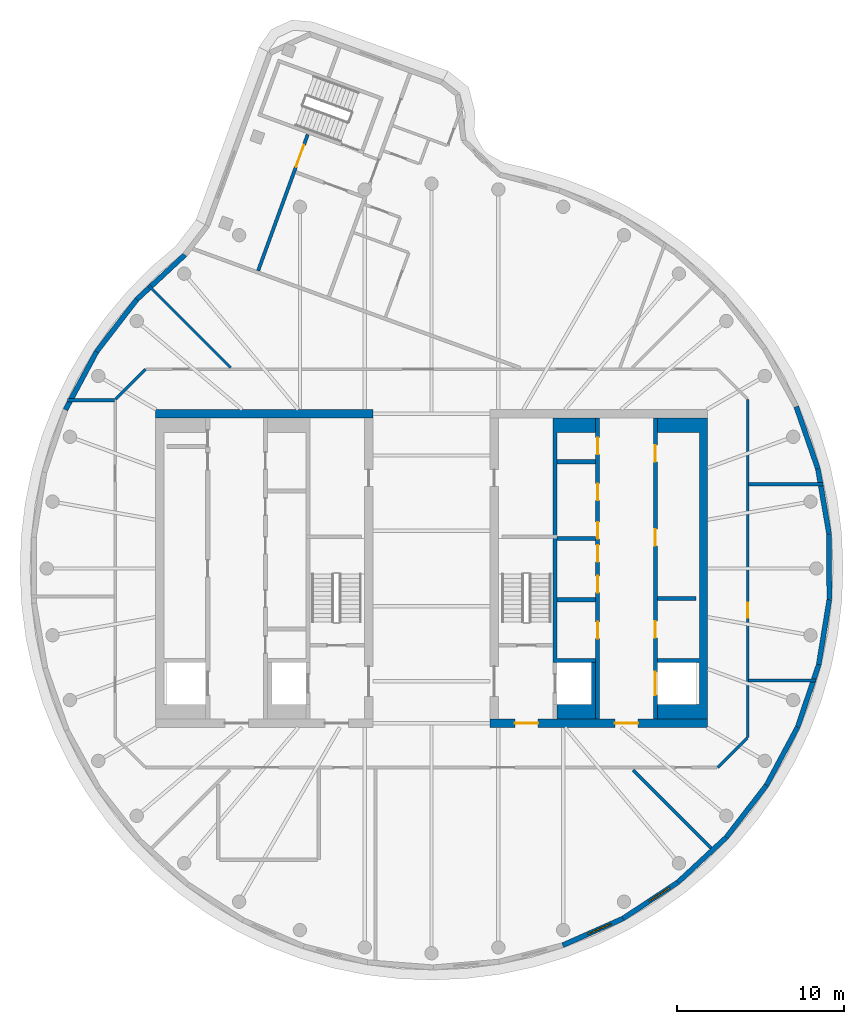
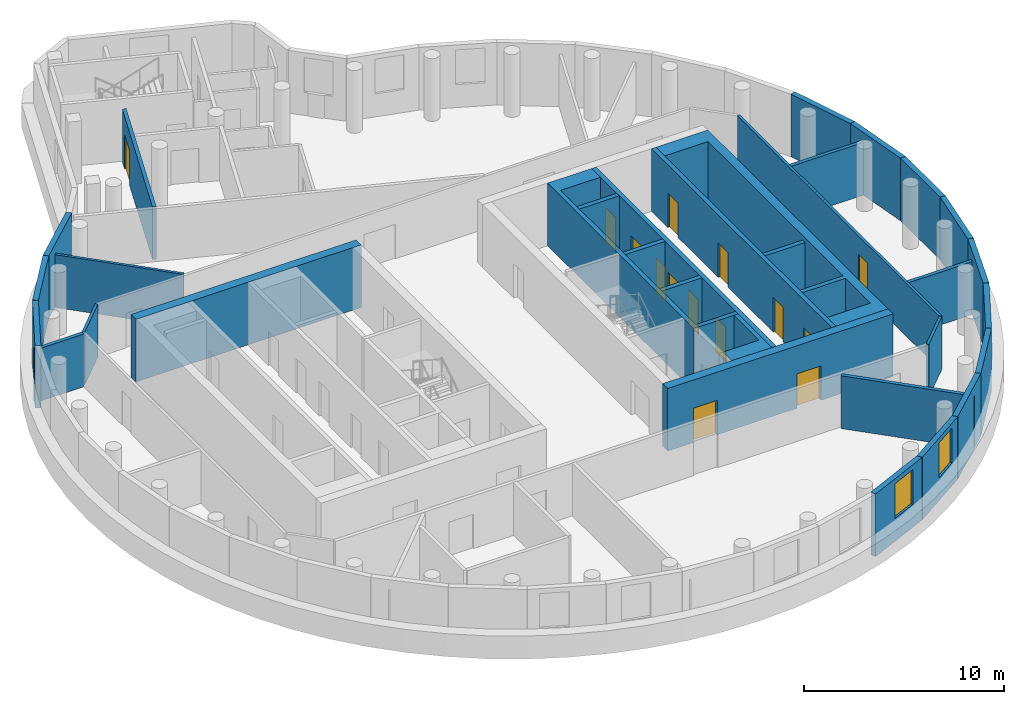
# One storey, part 4 of 7: 33 walls, 14 doors, 2 windows, 16 openings.
"""IFC4 building model written with IfcOpenShell, lengths in metres."""

from ifc_helpers import new_model, si_unit, direction, frame, frame_2d, origin, place, context, subcontext, project, spatial, polyline, rectangle, outline, extrude, material, layer, layer_set, type_object, element, fill, save


model = new_model("IFC4")

# Units and contexts
model_context = context("Model", 3, precision=1e-05, world=origin(), true_north=direction((0.0, 1.0)))
body_context = subcontext(model_context, "Body", "Model", "MODEL_VIEW")
ifc_project = project(units=[si_unit("LENGTHUNIT", "METRE"), si_unit("AREAUNIT", "SQUARE_METRE"), si_unit("VOLUMEUNIT", "CUBIC_METRE"), si_unit("PLANEANGLEUNIT", "RADIAN"), si_unit("MASSUNIT", "GRAM", prefix="KILO")], contexts=[model_context])

# Site, building, storey
site_placement = place(None, origin())
site = spatial("IfcSite", under=ifc_project, at=site_placement, CompositionType="ELEMENT")
building_placement = place(site_placement, origin())
building = spatial("IfcBuilding", under=site, at=building_placement, Name="Tamarind Cross Interchange Tower", CompositionType="ELEMENT")
storey_placement = place(building_placement, frame((0.0, 0.0, 313.39990234375)))
storey = spatial("IfcBuildingStorey", under=building, at=storey_placement, Name="L77", CompositionType="ELEMENT", Elevation=313.39990234375)

# Wall
ifc_material_1 = material(Name="Concrete C50", Category="concrete")
ifc_layer_1 = layer(ifc_material_1, 0.5)
ifc_layer_set_1 = layer_set([ifc_layer_1], Name="Concrete C50")
wall_type_1 = type_object("IfcWallType", Name="Core wall 500 mm Concrete C50", PredefinedType="SHEAR", material=ifc_layer_set_1)
wall_1_placement = place(storey_placement, frame((-16.5, 9.25, 0.0), z_axis=(0.0, 0.0, 1.0), x_axis=(1.0, 0.0, 0.0)))
element("IfcWall", 1, at=wall_1_placement, inside=storey, type_object=wall_type_1, Name="Core wall CWL-L77-W-NE", PredefinedType="SHEAR", context=body_context, shape_type="SweptSolid", body=[
    extrude(rectangle(XDim=13.0, YDim=0.5, at=frame_2d((6.5, 0.0))), origin(), (0.0, 0.0, 1.0), 3.820068359375),
])

# Wall, openings, doors
wall_2_placement = place(storey_placement, frame((16.5, -9.25, 0.0), z_axis=(0.0, 0.0, 1.0), x_axis=(-1.0, 0.0, 0.0)))
wall_2 = element("IfcWall", 2, at=wall_2_placement, inside=storey, type_object=wall_type_1, Name="Core wall CWL-L77-E-S", PredefinedType="SHEAR", context=body_context, shape_type="SweptSolid", body=[
    extrude(rectangle(XDim=13.0, YDim=0.5, at=frame_2d((6.5, 0.0))), origin(), (0.0, 0.0, 1.0), 3.820068359375),
])
opening_1_placement = place(wall_2_placement, frame((4.14990234375, 0.0, 0.0)))
opening_1 = element("IfcOpeningElement", 3, at=opening_1_placement, cuts=wall_2, Name="Opening DCE1", PredefinedType="OPENING", context=body_context, shape_type="SweptSolid", body=[
    extrude(rectangle(XDim=1.39990234375, YDim=2.10009765625, at=frame_2d((0.699951171875, 1.050048828125))), frame((0.0, 0.260009765625, 0.0), z_axis=(0.0, -1.0, 0.0), x_axis=(1.0, 0.0, 0.0)), (0.0, 0.0, 1.0), 0.52001953125),
])
opening_2_placement = place(wall_2_placement, frame((10.125, 0.0, 0.0)))
opening_2 = element("IfcOpeningElement", 4, at=opening_2_placement, cuts=wall_2, Name="Opening DCEF", PredefinedType="OPENING", context=body_context, shape_type="SweptSolid", body=[
    extrude(rectangle(XDim=1.39990234375, YDim=2.10009765625, at=frame_2d((0.699951171875, 1.050048828125))), frame((0.0, 0.260009765625, 0.0), z_axis=(0.0, -1.0, 0.0), x_axis=(1.0, 0.0, 0.0)), (0.0, 0.0, 1.0), 0.52001953125),
])
ifc_material_2 = material(Name="Steel, fire-resisting", Category="steel")
door_type_1 = type_object("IfcDoorType", Name="Core fire door 1400 x 2100 FD90", OperationType="SINGLE_SWING_LEFT", PredefinedType="DOOR", material=ifc_material_2)
door_1_placement = place(opening_1_placement, origin())
door_1 = element("IfcDoor", 5, at=door_1_placement, inside=storey, type_object=door_type_1, Name="L77 lift lobby door", OperationType="SINGLE_SWING_LEFT", OverallHeight=2.10009765625, OverallWidth=1.39990234375, PredefinedType="DOOR", context=body_context, shape_type="SweptSolid", body=[
    extrude(rectangle(XDim=1.39990234375, YDim=2.10009765625, at=frame_2d((0.699951171875, 1.050048828125))), frame((0.0, 0.02490234375, 0.0), z_axis=(0.0, -1.0, 0.0), x_axis=(1.0, 0.0, 0.0)), (0.0, 0.0, 1.0), 0.050048828125),
])
fill(opening_1, door_1)
door_2_placement = place(opening_2_placement, origin())
door_2 = element("IfcDoor", 6, at=door_2_placement, inside=storey, type_object=door_type_1, Name="L77 firefighting lobby end door", OperationType="SINGLE_SWING_LEFT", OverallHeight=2.10009765625, OverallWidth=1.39990234375, PredefinedType="DOOR", context=body_context, shape_type="SweptSolid", body=[
    extrude(rectangle(XDim=1.39990234375, YDim=2.10009765625, at=frame_2d((0.699951171875, 1.050048828125))), frame((0.0, 0.02490234375, 0.0), z_axis=(0.0, -1.0, 0.0), x_axis=(1.0, 0.0, 0.0)), (0.0, 0.0, 1.0), 0.050048828125),
])
fill(opening_2, door_2)

# Walls
wall_3_placement = place(storey_placement, origin())
element("IfcWall", 7, at=wall_3_placement, inside=storey, type_object=wall_type_1, Name="Core wall CWL-L77-E-A", PredefinedType="SHEAR", context=body_context, shape_type="SweptSolid", body=[
    extrude(outline(polyline([(13.5, -8.125), (13.5, -9.0), (16.0, -9.0), (16.5, -9.0), (16.5, 9.0), (16.0, 9.0), (13.5, 9.0), (13.5, 8.125), (16.0, 8.125), (16.0, -5.375), (13.5, -5.375), (13.5, -5.625), (16.0, -5.625), (16.0, -8.125), (13.5, -8.125)])), origin(), (0.0, 0.0, 1.0), 3.820068359375),
])
ifc_layer_2 = layer(ifc_material_1, 0.25)
ifc_layer_set_2 = layer_set([ifc_layer_2], Name="Concrete C50")
wall_type_2 = type_object("IfcWallType", Name="Core web wall 250 mm Concrete C50", PredefinedType="SHEAR", material=ifc_layer_set_2)
wall_4_placement = place(storey_placement, origin())
element("IfcWall", 8, at=wall_4_placement, inside=storey, type_object=wall_type_2, Name="Core wall CWL-L77-E-BN", PredefinedType="SHEAR", context=body_context, shape_type="SweptSolid", body=[
    extrude(outline(polyline([(9.800048828125, -5.625), (9.800048828125, -5.375), (7.5, -5.375), (7.5, 8.125), (9.800048828125, 8.125), (9.800048828125, 9.0), (7.5, 9.0), (7.25, 9.0), (7.25, -5.625), (7.5, -5.625), (9.800048828125, -5.625)])), origin(), (0.0, 0.0, 1.0), 3.820068359375),
])
wall_5_placement = place(storey_placement, origin())
element("IfcWall", 9, at=wall_5_placement, inside=storey, type_object=wall_type_2, Name="Core wall CWL-L77-E-BS", PredefinedType="SHEAR", context=body_context, shape_type="SweptSolid", body=[
    extrude(outline(polyline([(7.5, -8.125), (7.5, -9.0), (9.800048828125, -9.0), (9.800048828125, -8.125), (9.800048828125, -5.625), (9.550048828125, -5.625), (9.550048828125, -8.125), (7.5, -8.125)])), origin(), (0.0, 0.0, 1.0), 3.820068359375),
])

# Wall, openings, doors
wall_6_placement = place(storey_placement, frame((13.375, -9.0, 0.0), z_axis=(0.0, 0.0, 1.0), x_axis=(0.0, 1.0, 0.0)))
wall_6 = element("IfcWall", 10, at=wall_6_placement, inside=storey, type_object=wall_type_2, Name="Core wall CWL-L77-E-LA", PredefinedType="SHEAR", context=body_context, shape_type="SweptSolid", body=[
    extrude(rectangle(XDim=18.0, YDim=0.25, at=frame_2d((9.0, 0.0))), origin(), (0.0, 0.0, 1.0), 3.820068359375),
])
opening_3_placement = place(wall_6_placement, frame((1.425048828125, 0.0, 0.0)))
opening_3 = element("IfcOpeningElement", 11, at=opening_3_placement, cuts=wall_6, Name="Opening LD13L77", PredefinedType="OPENING", context=body_context, shape_type="SweptSolid", body=[
    extrude(rectangle(XDim=1.39990234375, YDim=2.10009765625, at=frame_2d((0.699951171875, 1.050048828125))), frame((0.0, 0.135009765625, 0.0), z_axis=(0.0, -1.0, 0.0), x_axis=(1.0, 0.0, 0.0)), (0.0, 0.0, 1.0), 0.27001953125),
])
opening_4_placement = place(wall_6_placement, frame((4.85400390625, 0.0, 0.0)))
opening_4 = element("IfcOpeningElement", 12, at=opening_4_placement, cuts=wall_6, Name="Opening DCE9", PredefinedType="OPENING", context=body_context, shape_type="SweptSolid", body=[
    extrude(rectangle(XDim=1.0, YDim=2.10009765625, at=frame_2d((0.5, 1.050048828125))), frame((0.0, 0.135009765625, 0.0), z_axis=(0.0, -1.0, 0.0), x_axis=(1.0, 0.0, 0.0)), (0.0, 0.0, 1.0), 0.27001953125),
])
opening_5_placement = place(wall_6_placement, frame((10.35400390625, 0.0, 0.0)))
opening_5 = element("IfcOpeningElement", 13, at=opening_5_placement, cuts=wall_6, Name="Opening DCE10", PredefinedType="OPENING", context=body_context, shape_type="SweptSolid", body=[
    extrude(rectangle(XDim=1.0, YDim=2.10009765625, at=frame_2d((0.5, 1.050048828125))), frame((0.0, 0.135009765625, 0.0), z_axis=(0.0, -1.0, 0.0), x_axis=(1.0, 0.0, 0.0)), (0.0, 0.0, 1.0), 0.27001953125),
])
opening_6_placement = place(wall_6_placement, frame((15.375, 0.0, 0.0)))
opening_6 = element("IfcOpeningElement", 14, at=opening_6_placement, cuts=wall_6, Name="Opening DCE17", PredefinedType="OPENING", context=body_context, shape_type="SweptSolid", body=[
    extrude(rectangle(XDim=1.0, YDim=2.10009765625, at=frame_2d((0.5, 1.050048828125))), frame((0.0, 0.135009765625, 0.0), z_axis=(0.0, -1.0, 0.0), x_axis=(1.0, 0.0, 0.0)), (0.0, 0.0, 1.0), 0.27001953125),
])
door_type_2 = type_object("IfcDoorType", Name="Core fire door 1000 x 2100 FD90", OperationType="SINGLE_SWING_LEFT", PredefinedType="DOOR", material=ifc_material_2)
door_3_placement = place(opening_4_placement, origin())
door_3 = element("IfcDoor", 15, at=door_3_placement, inside=storey, type_object=door_type_2, Name="L77 Plant room door", OperationType="SINGLE_SWING_LEFT", OverallHeight=2.10009765625, OverallWidth=1.0, PredefinedType="DOOR", context=body_context, shape_type="SweptSolid", body=[
    extrude(rectangle(XDim=1.0, YDim=2.10009765625, at=frame_2d((0.5, 1.050048828125))), frame((0.0, 0.02490234375, 0.0), z_axis=(0.0, -1.0, 0.0), x_axis=(1.0, 0.0, 0.0)), (0.0, 0.0, 1.0), 0.050048828125),
])
fill(opening_4, door_3)
door_4_placement = place(opening_5_placement, origin())
door_4 = element("IfcDoor", 16, at=door_4_placement, inside=storey, type_object=door_type_2, Name="L77 Storage room door", OperationType="SINGLE_SWING_LEFT", OverallHeight=2.10009765625, OverallWidth=1.0, PredefinedType="DOOR", context=body_context, shape_type="SweptSolid", body=[
    extrude(rectangle(XDim=1.0, YDim=2.10009765625, at=frame_2d((0.5, 1.050048828125))), frame((0.0, 0.02490234375, 0.0), z_axis=(0.0, -1.0, 0.0), x_axis=(1.0, 0.0, 0.0)), (0.0, 0.0, 1.0), 0.050048828125),
])
fill(opening_5, door_4)
door_5_placement = place(opening_6_placement, origin())
door_5 = element("IfcDoor", 17, at=door_5_placement, inside=storey, type_object=door_type_2, Name="L77 Pump room door", OperationType="SINGLE_SWING_LEFT", OverallHeight=2.10009765625, OverallWidth=1.0, PredefinedType="DOOR", context=body_context, shape_type="SweptSolid", body=[
    extrude(rectangle(XDim=1.0, YDim=2.10009765625, at=frame_2d((0.5, 1.050048828125))), frame((0.0, 0.02490234375, 0.0), z_axis=(0.0, -1.0, 0.0), x_axis=(1.0, 0.0, 0.0)), (0.0, 0.0, 1.0), 0.050048828125),
])
fill(opening_6, door_5)
ifc_material_3 = material(Name="Stainless steel panel", Category="steel")
door_type_3 = type_object("IfcDoorType", Name="Lift landing door 1400 x 2100 E 120", OperationType="SLIDING_TO_LEFT", PredefinedType="DOOR", material=ifc_material_3)
door_6_placement = place(opening_3_placement, origin())
door_6 = element("IfcDoor", 18, at=door_6_placement, inside=storey, type_object=door_type_3, Name="L77 landing door LF13", OperationType="SLIDING_TO_LEFT", OverallHeight=2.10009765625, OverallWidth=1.39990234375, PredefinedType="DOOR", context=body_context, shape_type="SweptSolid", body=[
    extrude(rectangle(XDim=1.39990234375, YDim=2.10009765625, at=frame_2d((0.699951171875, 1.050048828125))), frame((0.0, 0.02490234375, 0.0), z_axis=(0.0, -1.0, 0.0), x_axis=(1.0, 0.0, 0.0)), (0.0, 0.0, 1.0), 0.050048828125),
])
fill(opening_3, door_6)

wall_7_placement = place(storey_placement, frame((9.925048828125, -9.0, 0.0), z_axis=(0.0, 0.0, 1.0), x_axis=(0.0, 1.0, 0.0)))
wall_7 = element("IfcWall", 19, at=wall_7_placement, inside=storey, type_object=wall_type_2, Name="Core wall CWL-L77-E-LB", PredefinedType="SHEAR", context=body_context, shape_type="SweptSolid", body=[
    extrude(rectangle(XDim=18.0, YDim=0.25, at=frame_2d((9.0, 0.0))), origin(), (0.0, 0.0, 1.0), 3.820068359375),
])
opening_7_placement = place(wall_7_placement, frame((4.8125, 0.0, 0.0)))
opening_7 = element("IfcOpeningElement", 20, at=opening_7_placement, cuts=wall_7, Name="Opening DCE21", PredefinedType="OPENING", context=body_context, shape_type="SweptSolid", body=[
    extrude(rectangle(XDim=1.0, YDim=2.10009765625, at=frame_2d((0.5, 1.050048828125))), frame((0.0, 0.135009765625, 0.0), z_axis=(0.0, -1.0, 0.0), x_axis=(1.0, 0.0, 0.0)), (0.0, 0.0, 1.0), 0.27001953125),
])
opening_8_placement = place(wall_7_placement, frame((7.5625, 0.0, 0.0)))
opening_8 = element("IfcOpeningElement", 21, at=opening_8_placement, cuts=wall_7, Name="Opening DCE22", PredefinedType="OPENING", context=body_context, shape_type="SweptSolid", body=[
    extrude(rectangle(XDim=1.0, YDim=2.10009765625, at=frame_2d((0.5, 1.050048828125))), frame((0.0, 0.135009765625, 0.0), z_axis=(0.0, -1.0, 0.0), x_axis=(1.0, 0.0, 0.0)), (0.0, 0.0, 1.0), 0.27001953125),
])
opening_9_placement = place(wall_7_placement, frame((9.39599609375, 0.0, 0.0)))
opening_9 = element("IfcOpeningElement", 22, at=opening_9_placement, cuts=wall_7, Name="Opening DCE21", PredefinedType="OPENING", context=body_context, shape_type="SweptSolid", body=[
    extrude(rectangle(XDim=1.0, YDim=2.10009765625, at=frame_2d((0.5, 1.050048828125))), frame((0.0, 0.135009765625, 0.0), z_axis=(0.0, -1.0, 0.0), x_axis=(1.0, 0.0, 0.0)), (0.0, 0.0, 1.0), 0.27001953125),
])
opening_10_placement = place(wall_7_placement, frame((10.77099609375, 0.0, 0.0)))
opening_10 = element("IfcOpeningElement", 23, at=opening_10_placement, cuts=wall_7, Name="Opening DCE22", PredefinedType="OPENING", context=body_context, shape_type="SweptSolid", body=[
    extrude(rectangle(XDim=1.0, YDim=2.10009765625, at=frame_2d((0.5, 1.050048828125))), frame((0.0, 0.135009765625, 0.0), z_axis=(0.0, -1.0, 0.0), x_axis=(1.0, 0.0, 0.0)), (0.0, 0.0, 1.0), 0.27001953125),
])
opening_11_placement = place(wall_7_placement, frame((13.0625, 0.0, 0.0)))
opening_11 = element("IfcOpeningElement", 24, at=opening_11_placement, cuts=wall_7, Name="Opening DCE21", PredefinedType="OPENING", context=body_context, shape_type="SweptSolid", body=[
    extrude(rectangle(XDim=1.0, YDim=2.10009765625, at=frame_2d((0.5, 1.050048828125))), frame((0.0, 0.135009765625, 0.0), z_axis=(0.0, -1.0, 0.0), x_axis=(1.0, 0.0, 0.0)), (0.0, 0.0, 1.0), 0.27001953125),
])
opening_12_placement = place(wall_7_placement, frame((15.8125, 0.0, 0.0)))
opening_12 = element("IfcOpeningElement", 25, at=opening_12_placement, cuts=wall_7, Name="Opening DCE22", PredefinedType="OPENING", context=body_context, shape_type="SweptSolid", body=[
    extrude(rectangle(XDim=1.0, YDim=2.10009765625, at=frame_2d((0.5, 1.050048828125))), frame((0.0, 0.135009765625, 0.0), z_axis=(0.0, -1.0, 0.0), x_axis=(1.0, 0.0, 0.0)), (0.0, 0.0, 1.0), 0.27001953125),
])
door_7_placement = place(opening_7_placement, origin())
door_7 = element("IfcDoor", 26, at=door_7_placement, inside=storey, type_object=door_type_2, Name="L77 Pump room door", OperationType="SINGLE_SWING_LEFT", OverallHeight=2.10009765625, OverallWidth=1.0, PredefinedType="DOOR", context=body_context, shape_type="SweptSolid", body=[
    extrude(rectangle(XDim=1.0, YDim=2.10009765625, at=frame_2d((0.5, 1.050048828125))), frame((0.0, 0.02490234375, 0.0), z_axis=(0.0, -1.0, 0.0), x_axis=(1.0, 0.0, 0.0)), (0.0, 0.0, 1.0), 0.050048828125),
])
fill(opening_7, door_7)
door_8_placement = place(opening_8_placement, origin())
door_8 = element("IfcDoor", 27, at=door_8_placement, inside=storey, type_object=door_type_2, Name="L77 Plant room door", OperationType="SINGLE_SWING_LEFT", OverallHeight=2.10009765625, OverallWidth=1.0, PredefinedType="DOOR", context=body_context, shape_type="SweptSolid", body=[
    extrude(rectangle(XDim=1.0, YDim=2.10009765625, at=frame_2d((0.5, 1.050048828125))), frame((0.0, 0.02490234375, 0.0), z_axis=(0.0, -1.0, 0.0), x_axis=(1.0, 0.0, 0.0)), (0.0, 0.0, 1.0), 0.050048828125),
])
fill(opening_8, door_8)
door_9_placement = place(opening_9_placement, origin())
door_9 = element("IfcDoor", 28, at=door_9_placement, inside=storey, type_object=door_type_2, Name="L77 Plant room door", OperationType="SINGLE_SWING_LEFT", OverallHeight=2.10009765625, OverallWidth=1.0, PredefinedType="DOOR", context=body_context, shape_type="SweptSolid", body=[
    extrude(rectangle(XDim=1.0, YDim=2.10009765625, at=frame_2d((0.5, 1.050048828125))), frame((0.0, 0.02490234375, 0.0), z_axis=(0.0, -1.0, 0.0), x_axis=(1.0, 0.0, 0.0)), (0.0, 0.0, 1.0), 0.050048828125),
])
fill(opening_9, door_9)
door_10_placement = place(opening_10_placement, origin())
door_10 = element("IfcDoor", 29, at=door_10_placement, inside=storey, type_object=door_type_2, Name="L77 Storage room door", OperationType="SINGLE_SWING_LEFT", OverallHeight=2.10009765625, OverallWidth=1.0, PredefinedType="DOOR", context=body_context, shape_type="SweptSolid", body=[
    extrude(rectangle(XDim=1.0, YDim=2.10009765625, at=frame_2d((0.5, 1.050048828125))), frame((0.0, 0.02490234375, 0.0), z_axis=(0.0, -1.0, 0.0), x_axis=(1.0, 0.0, 0.0)), (0.0, 0.0, 1.0), 0.050048828125),
])
fill(opening_10, door_10)
door_11_placement = place(opening_11_placement, origin())
door_11 = element("IfcDoor", 30, at=door_11_placement, inside=storey, type_object=door_type_2, Name="L77 Storage room door", OperationType="SINGLE_SWING_LEFT", OverallHeight=2.10009765625, OverallWidth=1.0, PredefinedType="DOOR", context=body_context, shape_type="SweptSolid", body=[
    extrude(rectangle(XDim=1.0, YDim=2.10009765625, at=frame_2d((0.5, 1.050048828125))), frame((0.0, 0.02490234375, 0.0), z_axis=(0.0, -1.0, 0.0), x_axis=(1.0, 0.0, 0.0)), (0.0, 0.0, 1.0), 0.050048828125),
])
fill(opening_11, door_11)
door_12_placement = place(opening_12_placement, origin())
door_12 = element("IfcDoor", 31, at=door_12_placement, inside=storey, type_object=door_type_2, Name="L77 Battery room door", OperationType="SINGLE_SWING_LEFT", OverallHeight=2.10009765625, OverallWidth=1.0, PredefinedType="DOOR", context=body_context, shape_type="SweptSolid", body=[
    extrude(rectangle(XDim=1.0, YDim=2.10009765625, at=frame_2d((0.5, 1.050048828125))), frame((0.0, 0.02490234375, 0.0), z_axis=(0.0, -1.0, 0.0), x_axis=(1.0, 0.0, 0.0)), (0.0, 0.0, 1.0), 0.050048828125),
])
fill(opening_12, door_12)

# Walls
ifc_material_4 = material(Name="Gypsum board partition on steel studs", Category="steel")
ifc_layer_3 = layer(ifc_material_4, 0.14990234375)
ifc_layer_set_3 = layer_set([ifc_layer_3], Name="Gypsum board partition on steel studs")
wall_type_3 = type_object("IfcWallType", Name="Partition 150 mm EI 120", PredefinedType="PARTITIONING", material=ifc_layer_set_3)
wall_8_placement = place(storey_placement, frame((-16.921142578125, 16.921142578125, 0.0), z_axis=(0.0, 0.0, 1.0), x_axis=(0.707106781187, -0.707106781187, 0.0)))
element("IfcWall", 32, at=wall_8_placement, inside=storey, type_object=wall_type_3, Name="Partition L77-002", PredefinedType="PARTITIONING", context=body_context, shape_type="SweptSolid", body=[
    extrude(rectangle(XDim=6.946044921875, YDim=0.14990234375, at=frame_2d((3.47314453125, 0.0))), origin(), (0.0, 0.0, 1.0), 3.22021484375),
])
wall_9_placement = place(storey_placement, frame((-18.885986328125, 10.114013671875, 0.0), z_axis=(0.0, 0.0, 1.0), x_axis=(0.707106781187, 0.707106781187, 0.0)))
element("IfcWall", 33, at=wall_9_placement, inside=storey, type_object=wall_type_3, Name="Partition L77-019", PredefinedType="PARTITIONING", context=body_context, shape_type="SweptSolid", body=[
    extrude(rectangle(XDim=2.525634765625, YDim=0.14990234375, at=frame_2d((1.2626953125, 0.0))), origin(), (0.0, 0.0, 1.0), 3.22021484375),
])
wall_10_placement = place(storey_placement, frame((17.10009765625, -11.89990234375, 0.0), z_axis=(0.0, 0.0, 1.0), x_axis=(0.707106781187, 0.707106781187, 0.0)))
element("IfcWall", 34, at=wall_10_placement, inside=storey, type_object=wall_type_3, Name="Partition L77-022", PredefinedType="PARTITIONING", context=body_context, shape_type="SweptSolid", body=[
    extrude(rectangle(XDim=2.50537109375, YDim=0.14990234375, at=frame_2d((1.252685546875, 0.0))), origin(), (0.0, 0.0, 1.0), 3.22021484375),
])

# Wall, opening, door
wall_11_placement = place(storey_placement, frame((18.89990234375, -10.10009765625, 0.0), z_axis=(0.0, 0.0, 1.0), x_axis=(0.0, 1.0, 0.0)))
wall_11 = element("IfcWall", 35, at=wall_11_placement, inside=storey, type_object=wall_type_3, Name="Partition L77-036", PredefinedType="PARTITIONING", context=body_context, shape_type="SweptSolid", body=[
    extrude(rectangle(XDim=20.2001953125, YDim=0.14990234375, at=frame_2d((10.10009765625, 0.0))), origin(), (0.0, 0.0, 1.0), 3.22021484375),
])
opening_13_placement = place(wall_11_placement, frame((7.154052734375, 0.0, 0.0)))
opening_13 = element("IfcOpeningElement", 36, at=opening_13_placement, cuts=wall_11, Name="Opening D19", PredefinedType="OPENING", context=body_context, shape_type="SweptSolid", body=[
    extrude(rectangle(XDim=0.89990234375, YDim=2.10009765625, at=frame_2d((0.449951171875, 1.050048828125))), frame((0.0, 0.0849609375, 0.0), z_axis=(0.0, -1.0, 0.0), x_axis=(1.0, 0.0, 0.0)), (0.0, 0.0, 1.0), 0.169921875),
])
ifc_material_5 = material(Name="Fire-resisting door set")
door_type_4 = type_object("IfcDoorType", Name="Interior door 900 x 2100 FD60S", OperationType="SINGLE_SWING_LEFT", PredefinedType="DOOR", material=ifc_material_5)
door_13_placement = place(opening_13_placement, frame((0.89990234375, 0.0, 0.0), z_axis=(0.0, 0.0, 1.0), x_axis=(-1.0, 0.0, 0.0)))
door_13 = element("IfcDoor", 37, at=door_13_placement, inside=storey, type_object=door_type_4, Name="Door D19", OperationType="SINGLE_SWING_LEFT", OverallHeight=2.10009765625, OverallWidth=0.89990234375, PredefinedType="DOOR", context=body_context, shape_type="SweptSolid", body=[
    extrude(rectangle(XDim=0.89990234375, YDim=2.10009765625, at=frame_2d((0.449951171875, 1.050048828125))), frame((0.0, 0.02490234375, 0.0), z_axis=(0.0, -1.0, 0.0), x_axis=(1.0, 0.0, 0.0)), (0.0, 0.0, 1.0), 0.050048828125),
])
fill(opening_13, door_13)

# Walls
ifc_layer_4 = layer(ifc_material_4, 0.199951171875)
ifc_layer_set_4 = layer_set([ifc_layer_4], Name="Gypsum board partition on steel studs")
wall_type_4 = type_object("IfcWallType", Name="Partition 200 mm EI 180", PredefinedType="PARTITIONING", material=ifc_layer_set_4)
wall_12_placement = place(storey_placement, frame((12.052001953125, -12.052001953125, 0.0), z_axis=(0.0, 0.0, 1.0), x_axis=(0.707106781187, -0.707106781187, 0.0)))
element("IfcWall", 38, at=wall_12_placement, inside=storey, type_object=wall_type_4, Name="Partition L77-003", PredefinedType="PARTITIONING", context=body_context, shape_type="SweptSolid", body=[
    extrude(rectangle(XDim=6.8857421875, YDim=0.199951171875, at=frame_2d((3.44287109375, 0.0))), origin(), (0.0, 0.0, 1.0), 3.22021484375),
])
wall_13_placement = place(storey_placement, frame((-21.747314453125, 10.044921875, 0.0), z_axis=(0.0, 0.0, 1.0), x_axis=(1.0, 0.0, 0.0)))
element("IfcWall", 39, at=wall_13_placement, inside=storey, type_object=wall_type_4, Name="Partition L77-013", PredefinedType="PARTITIONING", context=body_context, shape_type="SweptSolid", body=[
    extrude(rectangle(XDim=2.792236328125, YDim=0.199951171875, at=frame_2d((1.39599609375, 0.0))), origin(), (0.0, 0.0, 1.0), 3.22021484375),
])
wall_14_placement = place(storey_placement, frame((18.955078125, -6.696044921875, 0.0), z_axis=(0.0, 0.0, 1.0), x_axis=(1.0, 0.0, 0.0)))
element("IfcWall", 40, at=wall_14_placement, inside=storey, type_object=wall_type_4, Name="Partition L77-017", PredefinedType="PARTITIONING", context=body_context, shape_type="SweptSolid", body=[
    extrude(rectangle(XDim=4.024658203125, YDim=0.199951171875, at=frame_2d((2.01220703125, 0.0))), origin(), (0.0, 0.0, 1.0), 3.22021484375),
])
wall_15_placement = place(storey_placement, frame((18.955078125, 5.02197265625, 0.0), z_axis=(0.0, 0.0, 1.0), x_axis=(1.0, 0.0, 0.0)))
element("IfcWall", 41, at=wall_15_placement, inside=storey, type_object=wall_type_4, Name="Partition L77-018", PredefinedType="PARTITIONING", context=body_context, shape_type="SweptSolid", body=[
    extrude(rectangle(XDim=4.4462890625, YDim=0.199951171875, at=frame_2d((2.22314453125, 0.0))), origin(), (0.0, 0.0, 1.0), 3.22021484375),
])

# Wall, opening, door
wall_16_placement = place(storey_placement, frame((-10.36474609375, 17.791015625, 0.0), z_axis=(0.0, 0.0, 1.0), x_axis=(0.342032792834, 0.939688016645, 0.0)))
wall_16 = element("IfcWall", 42, at=wall_16_placement, inside=storey, type_object=wall_type_4, Name="Partition L77-023", PredefinedType="PARTITIONING", context=body_context, shape_type="SweptSolid", body=[
    extrude(rectangle(XDim=8.65966796875, YDim=0.199951171875, at=frame_2d((4.329833984375, 0.0))), origin(), (0.0, 0.0, 1.0), 3.22021484375),
])
opening_14_placement = place(wall_16_placement, frame((6.60009765625, 0.0, 0.0)))
opening_14 = element("IfcOpeningElement", 43, at=opening_14_placement, cuts=wall_16, Name="Opening D12", PredefinedType="OPENING", context=body_context, shape_type="SweptSolid", body=[
    extrude(rectangle(XDim=1.39990234375, YDim=2.10009765625, at=frame_2d((0.699951171875, 1.050048828125))), frame((0.0, 0.10986328125, 0.0), z_axis=(0.0, -1.0, 0.0), x_axis=(1.0, 0.0, 0.0)), (0.0, 0.0, 1.0), 0.219970703125),
])
door_type_5 = type_object("IfcDoorType", Name="Interior door 1400 x 2100 FD120S", OperationType="DOUBLE_DOOR_SINGLE_SWING", PredefinedType="DOOR", material=ifc_material_5)
door_14_placement = place(opening_14_placement, origin())
door_14 = element("IfcDoor", 44, at=door_14_placement, inside=storey, type_object=door_type_5, Name="Door D12", OperationType="DOUBLE_DOOR_SINGLE_SWING", OverallHeight=2.10009765625, OverallWidth=1.39990234375, PredefinedType="DOOR", context=body_context, shape_type="SweptSolid", body=[
    extrude(rectangle(XDim=1.39990234375, YDim=2.10009765625, at=frame_2d((0.699951171875, 1.050048828125))), frame((0.0, 0.02490234375, 0.0), z_axis=(0.0, -1.0, 0.0), x_axis=(1.0, 0.0, 0.0)), (0.0, 0.0, 1.0), 0.050048828125),
])
fill(opening_14, door_14)

# Walls
ifc_material_6 = material(Name="Precast concrete C40", Category="concrete")
ifc_layer_5 = layer(ifc_material_6, 0.300048828125)
ifc_layer_set_5 = layer_set([ifc_layer_5], Name="Precast concrete C40")
wall_type_5 = type_object("IfcWallType", Name="Plant louvre wall", PredefinedType="SOLIDWALL", material=ifc_layer_set_5)
wall_17_placement = place(storey_placement, frame((-14.738525390625, 18.7451171875, 0.0), z_axis=(0.0, 0.0, 1.0), x_axis=(-0.73266715928, -0.680587124263, 0.0)))
element("IfcWall", 45, at=wall_17_placement, inside=storey, type_object=wall_type_5, Name="EXW-L77-02-01", PredefinedType="SOLIDWALL", context=body_context, shape_type="SweptSolid", body=[
    extrude(rectangle(XDim=3.923583984375, YDim=0.300048828125, at=frame_2d((1.9619140625, 0.0))), origin(), (0.0, 0.0, 1.0), 3.820068359375),
])
for number, where, z_axis, x_axis, name in (
    (46, (-17.61328125, 16.07470703125, 0.0), (0.0, 0.0, 1.0), (-0.610785688376, -0.79179596038, 0.0), "EXW-L77-02-02"),
    (47, (-20.018798828125, 12.956298828125, 0.0), (0.0, 0.0, 1.0), (-0.472180126088, -0.881502086513, 0.0), "EXW-L77-02-03"),
):
    element("IfcWall", number, at=place(storey_placement, frame(where, z_axis=z_axis, x_axis=x_axis)), inside=storey, type_object=wall_type_5, Name=name, PredefinedType="SOLIDWALL", context=body_context, shape_type="SweptSolid", body=[
        extrude(rectangle(XDim=3.9384765625, YDim=0.300048828125, at=frame_2d((1.96923828125, 0.0))), origin(), (0.0, 0.0, 1.0), 3.820068359375),
    ])

# Wall, opening, window
wall_18_placement = place(storey_placement, frame((7.839599609375, -22.520263671875, 0.0), z_axis=(0.0, 0.0, 1.0), x_axis=(0.91404912862, 0.405603489221, 0.0)))
wall_18 = element("IfcWall", 48, at=wall_18_placement, inside=storey, type_object=wall_type_5, Name="EXW-L77-02-18", PredefinedType="SOLIDWALL", context=body_context, shape_type="SweptSolid", body=[
    extrude(rectangle(XDim=3.9384765625, YDim=0.300048828125, at=frame_2d((1.96923828125, 0.0))), origin(), (0.0, 0.0, 1.0), 3.820068359375),
])
opening_15_placement = place(wall_18_placement, frame((1.642578125, 0.0, 1.39990234375)))
opening_15 = element("IfcOpeningElement", 49, at=opening_15_placement, cuts=wall_18, Name="Opening W2", PredefinedType="OPENING", context=body_context, shape_type="SweptSolid", body=[
    extrude(rectangle(XDim=1.508544921875, YDim=2.1201171875, at=frame_2d((0.75439453125, 1.06005859375))), frame((0.0, 0.159912109375, 0.0), z_axis=(0.0, -1.0, 0.0), x_axis=(1.0, 0.0, 0.0)), (0.0, 0.0, 1.0), 0.320068359375),
])
ifc_material_7 = material(Name="Aluminium louvre", Category="aluminium")
window_type = type_object("IfcWindowType", Name="Plant louvre bank", PartitioningType="SINGLE_PANEL", PredefinedType="WINDOW", material=ifc_material_7)
window_1_placement = place(opening_15_placement, origin())
window_1 = element("IfcWindow", 50, at=window_1_placement, inside=storey, type_object=window_type, Name="WIN-L77-02-18", OverallHeight=2.1201171875, OverallWidth=1.508544921875, PartitioningType="SINGLE_PANEL", PredefinedType="WINDOW", context=body_context, shape_type="SweptSolid", body=[
    extrude(rectangle(XDim=1.508544921875, YDim=2.1201171875, at=frame_2d((0.75439453125, 1.06005859375))), frame((0.0, 0.030029296875, 0.0), z_axis=(0.0, -1.0, 0.0), x_axis=(1.0, 0.0, 0.0)), (0.0, 0.0, 1.0), 0.06005859375),
])
fill(opening_15, window_1)

wall_19_placement = place(storey_placement, frame((11.439453125, -20.9228515625, 0.0), z_axis=(0.0, 0.0, 1.0), x_axis=(0.834786621205, 0.550573607302, 0.0)))
wall_19 = element("IfcWall", 51, at=wall_19_placement, inside=storey, type_object=wall_type_5, Name="EXW-L77-02-19", PredefinedType="SOLIDWALL", context=body_context, shape_type="SweptSolid", body=[
    extrude(rectangle(XDim=3.9384765625, YDim=0.300048828125, at=frame_2d((1.96923828125, 0.0))), origin(), (0.0, 0.0, 1.0), 3.820068359375),
])
opening_16_placement = place(wall_19_placement, frame((1.853271484375, 0.0, 1.39990234375)))
opening_16 = element("IfcOpeningElement", 52, at=opening_16_placement, cuts=wall_19, Name="Opening W2", PredefinedType="OPENING", context=body_context, shape_type="SweptSolid", body=[
    extrude(rectangle(XDim=1.485107421875, YDim=2.1201171875, at=frame_2d((0.74267578125, 1.06005859375))), frame((0.0, 0.159912109375, 0.0), z_axis=(0.0, -1.0, 0.0), x_axis=(1.0, 0.0, 0.0)), (0.0, 0.0, 1.0), 0.320068359375),
])
window_2_placement = place(opening_16_placement, origin())
window_2 = element("IfcWindow", 53, at=window_2_placement, inside=storey, type_object=window_type, Name="WIN-L77-02-19", OverallHeight=2.1201171875, OverallWidth=1.485107421875, PartitioningType="SINGLE_PANEL", PredefinedType="WINDOW", context=body_context, shape_type="SweptSolid", body=[
    extrude(rectangle(XDim=1.485107421875, YDim=2.1201171875, at=frame_2d((0.74267578125, 1.06005859375))), frame((0.0, 0.030029296875, 0.0), z_axis=(0.0, -1.0, 0.0), x_axis=(1.0, 0.0, 0.0)), (0.0, 0.0, 1.0), 0.06005859375),
])
fill(opening_16, window_2)

# Walls
wall_20_placement = place(storey_placement, frame((14.727294921875, -18.75439453125, 0.0), z_axis=(0.0, 0.0, 1.0), x_axis=(0.732813362883, 0.680429698926, 0.0)))
element("IfcWall", 54, at=wall_20_placement, inside=storey, type_object=wall_type_5, Name="EXW-L77-02-20", PredefinedType="SOLIDWALL", context=body_context, shape_type="SweptSolid", body=[
    extrude(rectangle(XDim=3.938232421875, YDim=0.300048828125, at=frame_2d((1.96923828125, 0.0))), origin(), (0.0, 0.0, 1.0), 3.820068359375),
])
for number, where, z_axis, x_axis, name in (
    (55, (17.61328125, -16.07470703125, 0.0), (0.0, 0.0, 1.0), (0.610785688376, 0.79179596038, 0.0), "EXW-L77-02-21"),
    (56, (20.018798828125, -12.956298828125, 0.0), (0.0, 0.0, 1.0), (0.472180126088, 0.881502086513, 0.0), "EXW-L77-02-22"),
    (57, (21.87841796875, -9.484619140625, 0.0), (0.0, 0.0, 1.0), (0.320613287718, 0.947210177172, 0.0), "EXW-L77-02-23"),
):
    element("IfcWall", number, at=place(storey_placement, frame(where, z_axis=z_axis, x_axis=x_axis)), inside=storey, type_object=wall_type_5, Name=name, PredefinedType="SOLIDWALL", context=body_context, shape_type="SweptSolid", body=[
        extrude(rectangle(XDim=3.9384765625, YDim=0.300048828125, at=frame_2d((1.96923828125, 0.0))), origin(), (0.0, 0.0, 1.0), 3.820068359375),
    ])
wall_21_placement = place(storey_placement, frame((23.14111328125, -5.754150390625, 0.0), z_axis=(0.0, 0.0, 1.0), x_axis=(0.160376439891, 0.987055924215, 0.0)))
element("IfcWall", 58, at=wall_21_placement, inside=storey, type_object=wall_type_5, Name="EXW-L77-02-24", PredefinedType="SOLIDWALL", context=body_context, shape_type="SweptSolid", body=[
    extrude(rectangle(XDim=3.938232421875, YDim=0.300048828125, at=frame_2d((1.96923828125, 0.0))), origin(), (0.0, 0.0, 1.0), 3.820068359375),
])
wall_22_placement = place(storey_placement, frame((23.772705078125, -1.866943359375, 0.0), z_axis=(0.0, 0.0, 1.0), x_axis=(-0.004339160737, 0.999990585798, 0.0)))
element("IfcWall", 59, at=wall_22_placement, inside=storey, type_object=wall_type_5, Name="EXW-L77-02-25", PredefinedType="SOLIDWALL", context=body_context, shape_type="SweptSolid", body=[
    extrude(rectangle(XDim=3.9384765625, YDim=0.300048828125, at=frame_2d((1.96923828125, 0.0))), origin(), (0.0, 0.0, 1.0), 3.820068359375),
])
wall_23_placement = place(storey_placement, frame((23.755615234375, 2.071533203125, 0.0), z_axis=(0.0, 0.0, 1.0), x_axis=(-0.168810670753, 0.985648495885, 0.0)))
element("IfcWall", 60, at=wall_23_placement, inside=storey, type_object=wall_type_5, Name="EXW-L77-02-26", PredefinedType="SOLIDWALL", context=body_context, shape_type="SweptSolid", body=[
    extrude(rectangle(XDim=3.93798828125, YDim=0.300048828125, at=frame_2d((1.968994140625, 0.0))), origin(), (0.0, 0.0, 1.0), 3.820068359375),
])
wall_24_placement = place(storey_placement, frame((23.0908203125, 5.953125, 0.0), z_axis=(0.0, 0.0, 1.0), x_axis=(-0.328789892836, 0.944403095277, 0.0)))
element("IfcWall", 61, at=wall_24_placement, inside=storey, type_object=wall_type_5, Name="EXW-L77-02-27", PredefinedType="SOLIDWALL", context=body_context, shape_type="SweptSolid", body=[
    extrude(rectangle(XDim=3.9384765625, YDim=0.300048828125, at=frame_2d((1.96923828125, 0.0))), origin(), (0.0, 0.0, 1.0), 3.820068359375),
])
ifc_material_8 = material(Name="Concrete C40", Category="concrete")
ifc_layer_6 = layer(ifc_material_8, 0.25)
ifc_layer_set_6 = layer_set([ifc_layer_6], Name="Concrete C40")
wall_type_6 = type_object("IfcWallType", Name="Shaft and lobby wall 250 mm Concrete C40", PredefinedType="PARTITIONING", material=ifc_layer_set_6)
for number, where, z_axis, x_axis, name in (
    (62, (15.800048828125, -1.7919921875, 0.0), (0.0, 0.0, 1.0), (-1.0, 0.0, 0.0), "Shaft wall CWL-L77-E-FPA1"),
    (63, (9.800048828125, -1.875, 0.0), (0.0, 0.0, 1.0), (-1.0, 0.0, 0.0), "Shaft wall CWL-L77-E-FPB1"),
    (64, (9.800048828125, 1.7919921875, 0.0), (0.0, 0.0, 1.0), (-1.0, 0.0, 0.0), "Shaft wall CWL-L77-E-FPB3"),
    (65, (9.800048828125, 6.375, 0.0), (0.0, 0.0, 1.0), (-1.0, 0.0, 0.0), "Shaft wall CWL-L77-E-FPB4"),
):
    element("IfcWall", number, at=place(storey_placement, frame(where, z_axis=z_axis, x_axis=x_axis)), inside=storey, type_object=wall_type_6, Name=name, PredefinedType="PARTITIONING", context=body_context, shape_type="SweptSolid", body=[
        extrude(rectangle(XDim=2.300048828125, YDim=0.25, at=frame_2d((1.14990234375, 0.0))), origin(), (0.0, 0.0, 1.0), 3.820068359375),
    ])

save(model, "model.ifc")
